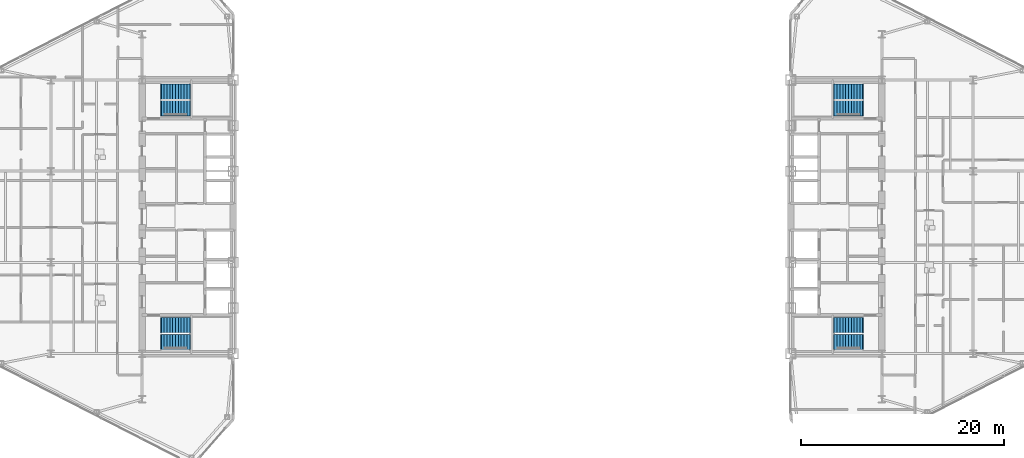
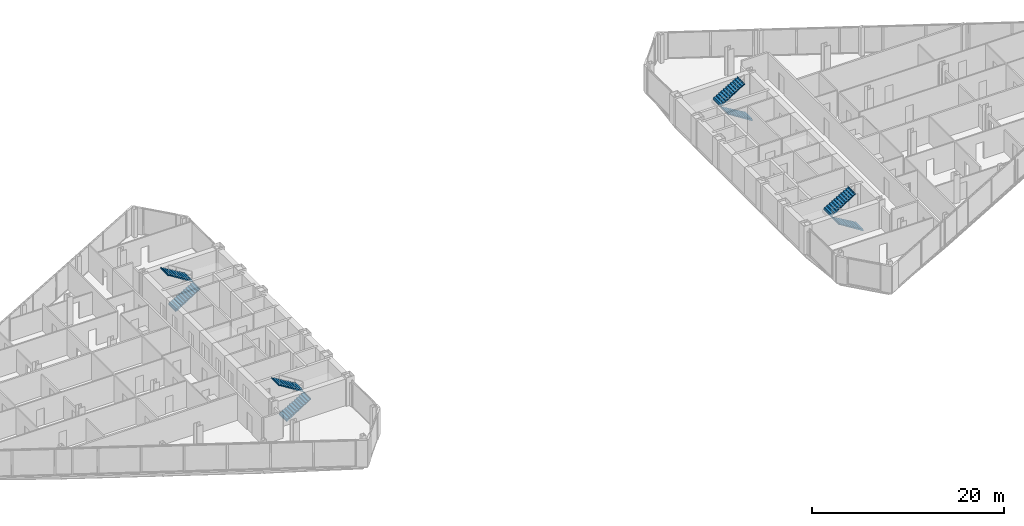
# One storey, part 22 of 24: 8 stair flights, 4 elements without a shape of their own.
"""IFC4 building model written with IfcOpenShell, lengths in metres."""

from ifc_helpers import new_model, si_unit, direction, frame, origin, place, context, subcontext, project, spatial, polyline, outline, extrude, material, type_object, element, aggregate, save


model = new_model("IFC4")

# Units and contexts
model_context = context("Model", 3, precision=1e-05, world=origin(), true_north=direction((0.0, 1.0)))
body_context = subcontext(model_context, "Body", "Model", "MODEL_VIEW")
ifc_project = project(units=[si_unit("LENGTHUNIT", "METRE"), si_unit("AREAUNIT", "SQUARE_METRE"), si_unit("VOLUMEUNIT", "CUBIC_METRE"), si_unit("PLANEANGLEUNIT", "RADIAN"), si_unit("MASSUNIT", "GRAM", prefix="KILO")], contexts=[model_context])

# Site, building, storey
site_placement = place(None, origin())
site = spatial("IfcSite", under=ifc_project, at=site_placement, CompositionType="ELEMENT")
building_placement = place(site_placement, origin())
building = spatial("IfcBuilding", under=site, at=building_placement, Name="Seokmaru Belvedere", CompositionType="ELEMENT")
storey_placement = place(building_placement, frame((0.0, 0.0, 117.60009765625)))
storey = spatial("IfcBuildingStorey", under=building, at=storey_placement, Name="L31", CompositionType="ELEMENT", Elevation=117.60009765625)

# Stair, stair flights
ifc_material = material(Name="Concrete C40 (40 MPa)", Category="concrete")
stair_type = type_object("IfcStairType", Name="Typical Tower Core Dog-Leg Stair 3600", PredefinedType="TWO_STRAIGHT_RUN_STAIR", material=ifc_material)
stair_1_placement = place(storey_placement, origin())
stair_1 = element("IfcStair", 1, at=stair_1_placement, inside=storey, type_object=stair_type, Name="L31 Special Escape Stair ST-W1", PredefinedType="TWO_STRAIGHT_RUN_STAIR")
stair_flight_type = type_object("IfcStairFlightType", Name="Reinforced Concrete Stair Flight 1500", PredefinedType="STRAIGHT", material=ifc_material)
stair_flight_1_placement = place(storey_placement, frame((-34.60009765625, -12.35009765625, 0.0), z_axis=(0.0, 0.0, 1.0), x_axis=(1.0, 0.0, 0.0)))
stair_flight_1 = element("IfcStairFlight", 2, at=stair_flight_1_placement, type_object=stair_flight_type, Name="ST-W1 flight 1", NumberOfRisers=11, NumberOfTreads=10, PredefinedType="STRAIGHT", RiserHeight=0.163636364, TreadLength=0.28, context=body_context, shape_type="SweptSolid", body=[
    extrude(outline(polyline([(-0.080078125, 0.0), (0.0, 0.16357421875), (0.280029296875, 0.16357421875), (0.280029296875, 0.327392578125), (0.56005859375, 0.327392578125), (0.56005859375, 0.490966796875), (0.840087890625, 0.490966796875), (0.840087890625, 0.654541015625), (1.1201171875, 0.654541015625), (1.1201171875, 0.818115234375), (1.39990234375, 0.818115234375), (1.39990234375, 0.98193359375), (1.679931640625, 0.98193359375), (1.679931640625, 1.1455078125), (1.9599609375, 1.1455078125), (1.9599609375, 1.30908203125), (2.239990234375, 1.30908203125), (2.239990234375, 1.47265625), (2.52001953125, 1.47265625), (2.52001953125, 1.636474609375), (2.800048828125, 1.636474609375), (2.800048828125, 1.800048828125), (2.8798828125, 1.800048828125), (2.8798828125, 1.610107421875), (2.800048828125, 1.610107421875), (0.0, -0.159912109375), (-0.080078125, -0.159912109375), (-0.080078125, 0.0)])), frame((0.0, 0.75, 0.0), z_axis=(0.0, -1.0, 0.0), x_axis=(1.0, 0.0, 0.0)), (0.0, 0.0, 1.0), 1.5),
])
stair_flight_2_placement = place(storey_placement, frame((-31.800048828125, -10.7099609375, 1.7998046875), z_axis=(0.0, 0.0, 1.0), x_axis=(-1.0, 0.0, 0.0)))
stair_flight_2 = element("IfcStairFlight", 3, at=stair_flight_2_placement, type_object=stair_flight_type, Name="ST-W1 flight 2", NumberOfRisers=11, NumberOfTreads=10, PredefinedType="STRAIGHT", RiserHeight=0.163636364, TreadLength=0.28, context=body_context, shape_type="SweptSolid", body=[
    extrude(outline(polyline([(-0.080078125, 0.0), (0.0, 0.16357421875), (0.280029296875, 0.16357421875), (0.280029296875, 0.327392578125), (0.56005859375, 0.327392578125), (0.56005859375, 0.490966796875), (0.840087890625, 0.490966796875), (0.840087890625, 0.654541015625), (1.1201171875, 0.654541015625), (1.1201171875, 0.818115234375), (1.39990234375, 0.818115234375), (1.39990234375, 0.98193359375), (1.679931640625, 0.98193359375), (1.679931640625, 1.1455078125), (1.9599609375, 1.1455078125), (1.9599609375, 1.30908203125), (2.239990234375, 1.30908203125), (2.239990234375, 1.47265625), (2.52001953125, 1.47265625), (2.52001953125, 1.636474609375), (2.800048828125, 1.636474609375), (2.800048828125, 1.800048828125), (2.8798828125, 1.800048828125), (2.8798828125, 1.610107421875), (2.800048828125, 1.610107421875), (0.0, -0.159912109375), (-0.080078125, -0.159912109375), (-0.080078125, 0.0)])), frame((0.0, 0.75, 0.0), z_axis=(0.0, -1.0, 0.0), x_axis=(1.0, 0.0, 0.0)), (0.0, 0.0, 1.0), 1.5),
])
aggregate(stair_1, [stair_flight_1, stair_flight_2])

stair_2_placement = place(storey_placement, origin())
stair_2 = element("IfcStair", 4, at=stair_2_placement, inside=storey, type_object=stair_type, Name="L31 Special Escape Stair ST-W2", PredefinedType="TWO_STRAIGHT_RUN_STAIR")
stair_flight_3_placement = place(storey_placement, frame((-34.60009765625, 10.7099609375, 0.0), z_axis=(0.0, 0.0, 1.0), x_axis=(1.0, 0.0, 0.0)))
stair_flight_3 = element("IfcStairFlight", 5, at=stair_flight_3_placement, type_object=stair_flight_type, Name="ST-W2 flight 1", NumberOfRisers=11, NumberOfTreads=10, PredefinedType="STRAIGHT", RiserHeight=0.163636364, TreadLength=0.28, context=body_context, shape_type="SweptSolid", body=[
    extrude(outline(polyline([(-0.080078125, 0.0), (0.0, 0.16357421875), (0.280029296875, 0.16357421875), (0.280029296875, 0.327392578125), (0.56005859375, 0.327392578125), (0.56005859375, 0.490966796875), (0.840087890625, 0.490966796875), (0.840087890625, 0.654541015625), (1.1201171875, 0.654541015625), (1.1201171875, 0.818115234375), (1.39990234375, 0.818115234375), (1.39990234375, 0.98193359375), (1.679931640625, 0.98193359375), (1.679931640625, 1.1455078125), (1.9599609375, 1.1455078125), (1.9599609375, 1.30908203125), (2.239990234375, 1.30908203125), (2.239990234375, 1.47265625), (2.52001953125, 1.47265625), (2.52001953125, 1.636474609375), (2.800048828125, 1.636474609375), (2.800048828125, 1.800048828125), (2.8798828125, 1.800048828125), (2.8798828125, 1.610107421875), (2.800048828125, 1.610107421875), (0.0, -0.159912109375), (-0.080078125, -0.159912109375), (-0.080078125, 0.0)])), frame((0.0, 0.75, 0.0), z_axis=(0.0, -1.0, 0.0), x_axis=(1.0, 0.0, 0.0)), (0.0, 0.0, 1.0), 1.5),
])
stair_flight_4_placement = place(storey_placement, frame((-31.800048828125, 12.35009765625, 1.7998046875), z_axis=(0.0, 0.0, 1.0), x_axis=(-1.0, 0.0, 0.0)))
stair_flight_4 = element("IfcStairFlight", 6, at=stair_flight_4_placement, type_object=stair_flight_type, Name="ST-W2 flight 2", NumberOfRisers=11, NumberOfTreads=10, PredefinedType="STRAIGHT", RiserHeight=0.163636364, TreadLength=0.28, context=body_context, shape_type="SweptSolid", body=[
    extrude(outline(polyline([(-0.080078125, 0.0), (0.0, 0.16357421875), (0.280029296875, 0.16357421875), (0.280029296875, 0.327392578125), (0.56005859375, 0.327392578125), (0.56005859375, 0.490966796875), (0.840087890625, 0.490966796875), (0.840087890625, 0.654541015625), (1.1201171875, 0.654541015625), (1.1201171875, 0.818115234375), (1.39990234375, 0.818115234375), (1.39990234375, 0.98193359375), (1.679931640625, 0.98193359375), (1.679931640625, 1.1455078125), (1.9599609375, 1.1455078125), (1.9599609375, 1.30908203125), (2.239990234375, 1.30908203125), (2.239990234375, 1.47265625), (2.52001953125, 1.47265625), (2.52001953125, 1.636474609375), (2.800048828125, 1.636474609375), (2.800048828125, 1.800048828125), (2.8798828125, 1.800048828125), (2.8798828125, 1.610107421875), (2.800048828125, 1.610107421875), (0.0, -0.159912109375), (-0.080078125, -0.159912109375), (-0.080078125, 0.0)])), frame((0.0, 0.75, 0.0), z_axis=(0.0, -1.0, 0.0), x_axis=(1.0, 0.0, 0.0)), (0.0, 0.0, 1.0), 1.5),
])
aggregate(stair_2, [stair_flight_3, stair_flight_4])

stair_3_placement = place(storey_placement, origin())
stair_3 = element("IfcStair", 7, at=stair_3_placement, inside=storey, type_object=stair_type, Name="L31 Special Escape Stair ST-E1", PredefinedType="TWO_STRAIGHT_RUN_STAIR")
stair_flight_5_placement = place(storey_placement, frame((34.60009765625, -12.35009765625, 0.0), z_axis=(0.0, 0.0, 1.0), x_axis=(-1.0, 0.0, 0.0)))
stair_flight_5 = element("IfcStairFlight", 8, at=stair_flight_5_placement, type_object=stair_flight_type, Name="ST-E1 flight 1", NumberOfRisers=11, NumberOfTreads=10, PredefinedType="STRAIGHT", RiserHeight=0.163636364, TreadLength=0.28, context=body_context, shape_type="SweptSolid", body=[
    extrude(outline(polyline([(-0.080078125, 0.0), (0.0, 0.16357421875), (0.280029296875, 0.16357421875), (0.280029296875, 0.327392578125), (0.56005859375, 0.327392578125), (0.56005859375, 0.490966796875), (0.840087890625, 0.490966796875), (0.840087890625, 0.654541015625), (1.1201171875, 0.654541015625), (1.1201171875, 0.818115234375), (1.39990234375, 0.818115234375), (1.39990234375, 0.98193359375), (1.679931640625, 0.98193359375), (1.679931640625, 1.1455078125), (1.9599609375, 1.1455078125), (1.9599609375, 1.30908203125), (2.239990234375, 1.30908203125), (2.239990234375, 1.47265625), (2.52001953125, 1.47265625), (2.52001953125, 1.636474609375), (2.800048828125, 1.636474609375), (2.800048828125, 1.800048828125), (2.8798828125, 1.800048828125), (2.8798828125, 1.610107421875), (2.800048828125, 1.610107421875), (0.0, -0.159912109375), (-0.080078125, -0.159912109375), (-0.080078125, 0.0)])), frame((0.0, 0.75, 0.0), z_axis=(0.0, -1.0, 0.0), x_axis=(1.0, 0.0, 0.0)), (0.0, 0.0, 1.0), 1.5),
])
stair_flight_6_placement = place(storey_placement, frame((31.800048828125, -10.7099609375, 1.7998046875), z_axis=(0.0, 0.0, 1.0), x_axis=(1.0, 0.0, 0.0)))
stair_flight_6 = element("IfcStairFlight", 9, at=stair_flight_6_placement, type_object=stair_flight_type, Name="ST-E1 flight 2", NumberOfRisers=11, NumberOfTreads=10, PredefinedType="STRAIGHT", RiserHeight=0.163636364, TreadLength=0.28, context=body_context, shape_type="SweptSolid", body=[
    extrude(outline(polyline([(-0.080078125, 0.0), (0.0, 0.16357421875), (0.280029296875, 0.16357421875), (0.280029296875, 0.327392578125), (0.56005859375, 0.327392578125), (0.56005859375, 0.490966796875), (0.840087890625, 0.490966796875), (0.840087890625, 0.654541015625), (1.1201171875, 0.654541015625), (1.1201171875, 0.818115234375), (1.39990234375, 0.818115234375), (1.39990234375, 0.98193359375), (1.679931640625, 0.98193359375), (1.679931640625, 1.1455078125), (1.9599609375, 1.1455078125), (1.9599609375, 1.30908203125), (2.239990234375, 1.30908203125), (2.239990234375, 1.47265625), (2.52001953125, 1.47265625), (2.52001953125, 1.636474609375), (2.800048828125, 1.636474609375), (2.800048828125, 1.800048828125), (2.8798828125, 1.800048828125), (2.8798828125, 1.610107421875), (2.800048828125, 1.610107421875), (0.0, -0.159912109375), (-0.080078125, -0.159912109375), (-0.080078125, 0.0)])), frame((0.0, 0.75, 0.0), z_axis=(0.0, -1.0, 0.0), x_axis=(1.0, 0.0, 0.0)), (0.0, 0.0, 1.0), 1.5),
])
aggregate(stair_3, [stair_flight_5, stair_flight_6])

stair_4_placement = place(storey_placement, origin())
stair_4 = element("IfcStair", 10, at=stair_4_placement, inside=storey, type_object=stair_type, Name="L31 Special Escape Stair ST-E2", PredefinedType="TWO_STRAIGHT_RUN_STAIR")
stair_flight_7_placement = place(storey_placement, frame((34.60009765625, 10.7099609375, 0.0), z_axis=(0.0, 0.0, 1.0), x_axis=(-1.0, 0.0, 0.0)))
stair_flight_7 = element("IfcStairFlight", 11, at=stair_flight_7_placement, type_object=stair_flight_type, Name="ST-E2 flight 1", NumberOfRisers=11, NumberOfTreads=10, PredefinedType="STRAIGHT", RiserHeight=0.163636364, TreadLength=0.28, context=body_context, shape_type="SweptSolid", body=[
    extrude(outline(polyline([(-0.080078125, 0.0), (0.0, 0.16357421875), (0.280029296875, 0.16357421875), (0.280029296875, 0.327392578125), (0.56005859375, 0.327392578125), (0.56005859375, 0.490966796875), (0.840087890625, 0.490966796875), (0.840087890625, 0.654541015625), (1.1201171875, 0.654541015625), (1.1201171875, 0.818115234375), (1.39990234375, 0.818115234375), (1.39990234375, 0.98193359375), (1.679931640625, 0.98193359375), (1.679931640625, 1.1455078125), (1.9599609375, 1.1455078125), (1.9599609375, 1.30908203125), (2.239990234375, 1.30908203125), (2.239990234375, 1.47265625), (2.52001953125, 1.47265625), (2.52001953125, 1.636474609375), (2.800048828125, 1.636474609375), (2.800048828125, 1.800048828125), (2.8798828125, 1.800048828125), (2.8798828125, 1.610107421875), (2.800048828125, 1.610107421875), (0.0, -0.159912109375), (-0.080078125, -0.159912109375), (-0.080078125, 0.0)])), frame((0.0, 0.75, 0.0), z_axis=(0.0, -1.0, 0.0), x_axis=(1.0, 0.0, 0.0)), (0.0, 0.0, 1.0), 1.5),
])
stair_flight_8_placement = place(storey_placement, frame((31.800048828125, 12.35009765625, 1.7998046875), z_axis=(0.0, 0.0, 1.0), x_axis=(1.0, 0.0, 0.0)))
stair_flight_8 = element("IfcStairFlight", 12, at=stair_flight_8_placement, type_object=stair_flight_type, Name="ST-E2 flight 2", NumberOfRisers=11, NumberOfTreads=10, PredefinedType="STRAIGHT", RiserHeight=0.163636364, TreadLength=0.28, context=body_context, shape_type="SweptSolid", body=[
    extrude(outline(polyline([(-0.080078125, 0.0), (0.0, 0.16357421875), (0.280029296875, 0.16357421875), (0.280029296875, 0.327392578125), (0.56005859375, 0.327392578125), (0.56005859375, 0.490966796875), (0.840087890625, 0.490966796875), (0.840087890625, 0.654541015625), (1.1201171875, 0.654541015625), (1.1201171875, 0.818115234375), (1.39990234375, 0.818115234375), (1.39990234375, 0.98193359375), (1.679931640625, 0.98193359375), (1.679931640625, 1.1455078125), (1.9599609375, 1.1455078125), (1.9599609375, 1.30908203125), (2.239990234375, 1.30908203125), (2.239990234375, 1.47265625), (2.52001953125, 1.47265625), (2.52001953125, 1.636474609375), (2.800048828125, 1.636474609375), (2.800048828125, 1.800048828125), (2.8798828125, 1.800048828125), (2.8798828125, 1.610107421875), (2.800048828125, 1.610107421875), (0.0, -0.159912109375), (-0.080078125, -0.159912109375), (-0.080078125, 0.0)])), frame((0.0, 0.75, 0.0), z_axis=(0.0, -1.0, 0.0), x_axis=(1.0, 0.0, 0.0)), (0.0, 0.0, 1.0), 1.5),
])
aggregate(stair_4, [stair_flight_7, stair_flight_8])

save(model, "model.ifc")
